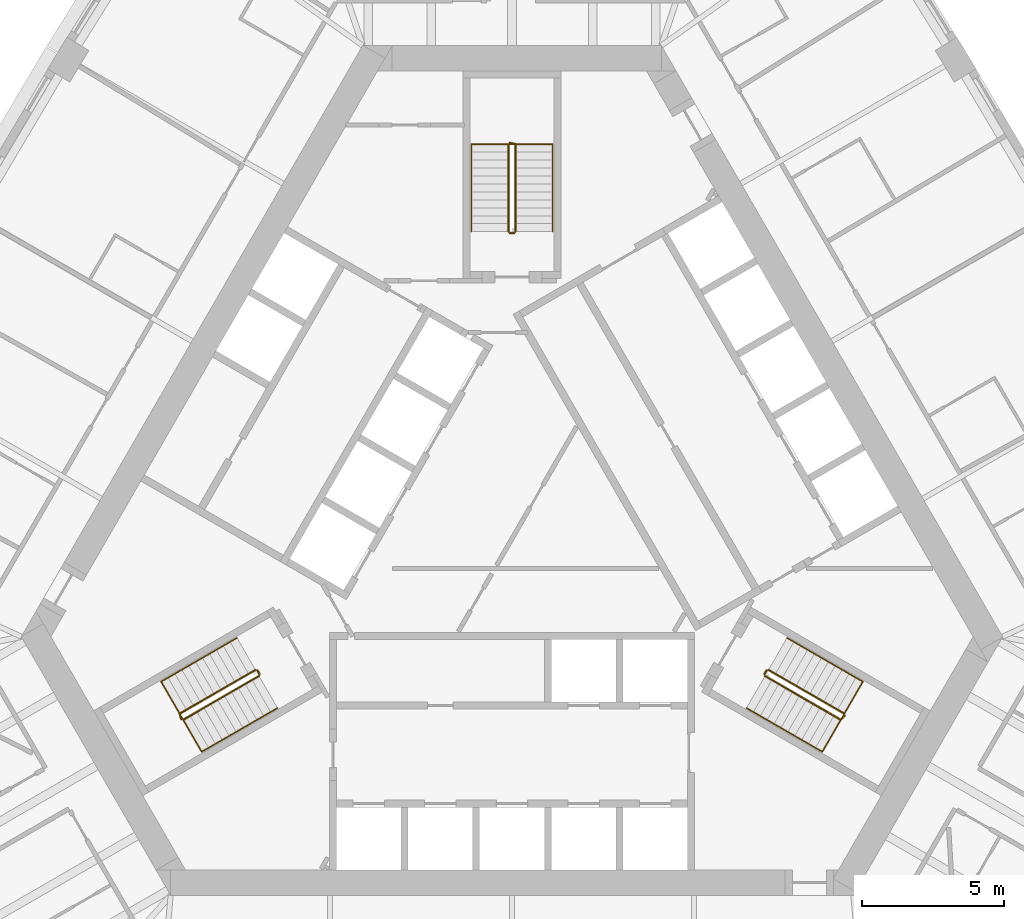
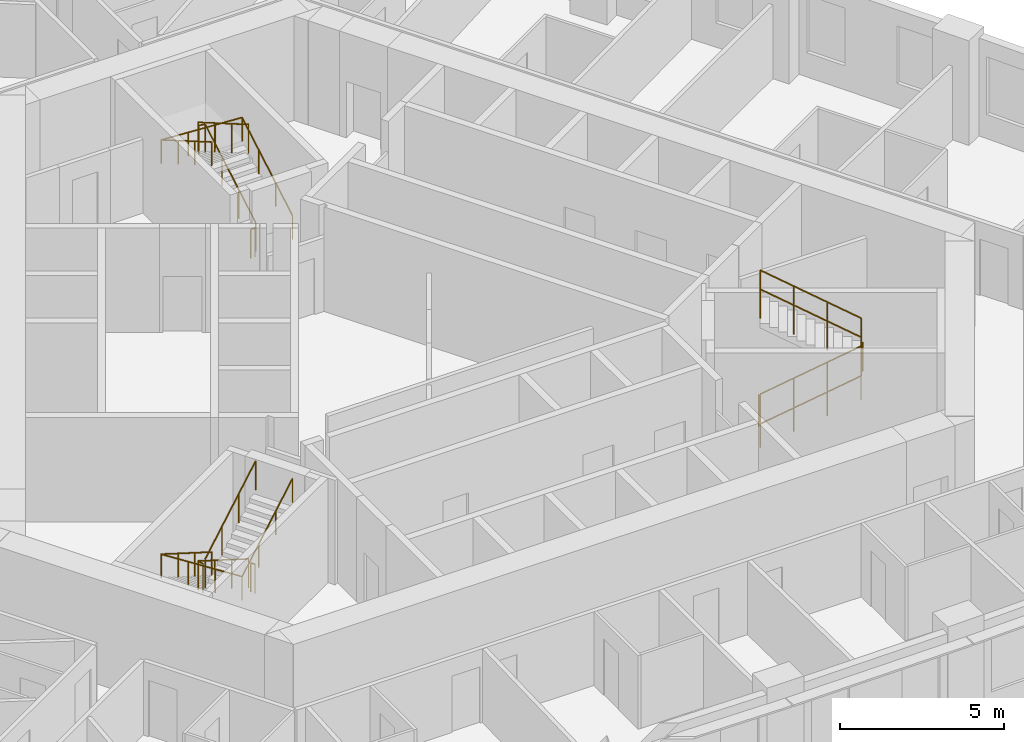
# One storey, part 13 of 13: 12 railings.
"""IFC4 building model written with IfcOpenShell, lengths in metres."""

from ifc_helpers import new_model, si_unit, direction, frame, origin, origin_2d, place, context, subcontext, project, spatial, circle, extrude, material, type_object, element, save


model = new_model("IFC4")

# Units and contexts
model_context = context("Model", 3, precision=1e-05, world=origin(), true_north=direction((0.0, 1.0)))
body_context = subcontext(model_context, "Body", "Model", "MODEL_VIEW")
ifc_project = project(units=[si_unit("LENGTHUNIT", "METRE"), si_unit("AREAUNIT", "SQUARE_METRE"), si_unit("VOLUMEUNIT", "CUBIC_METRE"), si_unit("PLANEANGLEUNIT", "RADIAN"), si_unit("MASSUNIT", "GRAM", prefix="KILO")], contexts=[model_context])

# Site, building, storey
site_placement = place(None, origin())
site = spatial("IfcSite", under=ifc_project, at=site_placement, CompositionType="ELEMENT")
building_placement = place(site_placement, origin())
building = spatial("IfcBuilding", under=site, at=building_placement, Name="Mestral Congress Tower", CompositionType="ELEMENT")
storey_placement = place(building_placement, frame((0.0, 0.0, 91.5)))
storey = spatial("IfcBuildingStorey", under=building, at=storey_placement, Name="L21", CompositionType="ELEMENT", Elevation=91.5)

# Railings
ifc_material_1 = material(Name="Steel balustrade", Category="steel")
railing_type_1 = type_object("IfcRailingType", Name="Stair guard 1100", PredefinedType="GUARDRAIL", material=ifc_material_1)
railing_1_placement = place(storey_placement, frame((8.90087890625, -5.283203125, 0.16259765625)))
element("IfcRailing", 1, at=railing_1_placement, inside=storey, type_object=railing_type_1, Name="L21 ST1 stair guard 1", PredefinedType="GUARDRAIL", context=body_context, shape_type="SweptSolid", body=[
    extrude(circle(Radius=0.02392578125, at=origin_2d()), frame((0.0, 0.0, 1.076171875), z_axis=(0.749019742845, -0.432477486304, 0.501928927906), x_axis=(0.500026652407, 0.866010015463, 0.0)), (0.0, 0.0, 1.0), 3.56103515625),
    extrude(circle(Radius=0.02392578125, at=origin_2d()), frame((2.667236328125, -1.5400390625, 2.86328125), z_axis=(0.695164929852, 0.718850276695, 0.0), x_axis=(-0.718850276695, 0.695164929852, 0.0)), (0.0, 0.0, 1.0), 0.2060546875),
    extrude(circle(Radius=0.02099609375, at=origin_2d()), origin(), (0.0, 0.0, 1.0), 1.052001953125),
    extrude(circle(Radius=0.02099609375, at=origin_2d()), frame((0.88916015625, -0.513427734375, 0.595703125)), (0.0, 0.0, 1.0), 1.052001953125),
    extrude(circle(Radius=0.02099609375, at=origin_2d()), frame((1.778076171875, -1.026611328125, 1.191650390625)), (0.0, 0.0, 1.0), 1.052001953125),
    extrude(circle(Radius=0.02099609375, at=origin_2d()), frame((2.667236328125, -1.5400390625, 1.787353515625)), (0.0, 0.0, 1.0), 1.052001953125),
    extrude(circle(Radius=0.02099609375, at=origin_2d()), frame((2.810546875, -1.391845703125, 1.787353515625)), (0.0, 0.0, 1.0), 1.052001953125),
])
railing_2_placement = place(storey_placement, frame((11.693115234375, -6.606689453125, 2.112548828125)))
element("IfcRailing", 2, at=railing_2_placement, inside=storey, type_object=railing_type_1, Name="L21 ST1 stair guard 2", PredefinedType="GUARDRAIL", context=body_context, shape_type="SweptSolid", body=[
    extrude(circle(Radius=0.02392578125, at=origin_2d()), frame((0.0, 0.0, 1.076171875), z_axis=(-0.749019742845, 0.432477486304, 0.501928927906), x_axis=(-0.500026652407, -0.866010015463, 0.0)), (0.0, 0.0, 1.0), 3.56103515625),
    extrude(circle(Radius=0.02099609375, at=origin_2d()), origin(), (0.0, 0.0, 1.0), 1.052001953125),
    extrude(circle(Radius=0.02099609375, at=origin_2d()), frame((-0.88916015625, 0.513427734375, 0.595703125)), (0.0, 0.0, 1.0), 1.052001953125),
    extrude(circle(Radius=0.02099609375, at=origin_2d()), frame((-1.778076171875, 1.026611328125, 1.191650390625)), (0.0, 0.0, 1.0), 1.052001953125),
    extrude(circle(Radius=0.02099609375, at=origin_2d()), frame((-2.667236328125, 1.5400390625, 1.787353515625)), (0.0, 0.0, 1.0), 1.052001953125),
])
railing_3_placement = place(storey_placement, frame((8.882568359375, -5.21484375, 0.0)))
element("IfcRailing", 3, at=railing_3_placement, inside=storey, type_object=railing_type_1, Name="L21 ST1 stair guard 3", PredefinedType="GUARDRAIL", context=body_context, shape_type="SweptSolid", body=[
    extrude(circle(Radius=0.02392578125, at=origin_2d()), frame((0.0, 0.0, 1.076171875), z_axis=(0.499816412211, 0.866131372301, 0.0), x_axis=(-0.866131372301, 0.499816412211, 0.0)), (0.0, 0.0, 1.0), 0.14990234375),
    extrude(circle(Radius=0.02099609375, at=origin_2d()), origin(), (0.0, 0.0, 1.0), 1.052001953125),
    extrude(circle(Radius=0.02099609375, at=origin_2d()), frame((0.074951171875, 0.1298828125, 0.0)), (0.0, 0.0, 1.0), 1.052001953125),
])
railing_4_placement = place(storey_placement, frame((0.125, 10.35009765625, 0.16259765625)))
element("IfcRailing", 4, at=railing_4_placement, inside=storey, type_object=railing_type_1, Name="L21 ST2 stair guard 1", PredefinedType="GUARDRAIL", context=body_context, shape_type="SweptSolid", body=[
    extrude(circle(Radius=0.02392578125, at=origin_2d()), frame((0.0, 0.0, 1.076171875), z_axis=(0.0, 0.864903211148, 0.501938676878), x_axis=(-1.0, 0.0, 0.0)), (0.0, 0.0, 1.0), 3.560791015625),
    extrude(circle(Radius=0.02392578125, at=origin_2d()), frame((0.0, 3.079833984375, 2.86328125), z_axis=(-0.970072785993, 0.242814311512, 0.0), x_axis=(-0.242814311512, -0.970072785993, 0.0)), (0.0, 0.0, 1.0), 0.2060546875),
    extrude(circle(Radius=0.02099609375, at=origin_2d()), origin(), (0.0, 0.0, 1.0), 1.052001953125),
    extrude(circle(Radius=0.02099609375, at=origin_2d()), frame((0.0, 1.026611328125, 0.595703125)), (0.0, 0.0, 1.0), 1.052001953125),
    extrude(circle(Radius=0.02099609375, at=origin_2d()), frame((0.0, 2.05322265625, 1.191650390625)), (0.0, 0.0, 1.0), 1.052001953125),
    extrude(circle(Radius=0.02099609375, at=origin_2d()), frame((0.0, 3.079833984375, 1.787353515625)), (0.0, 0.0, 1.0), 1.052001953125),
    extrude(circle(Radius=0.02099609375, at=origin_2d()), frame((-0.199951171875, 3.1298828125, 1.787353515625)), (0.0, 0.0, 1.0), 1.052001953125),
])
railing_5_placement = place(storey_placement, frame((-0.125, 13.429931640625, 2.112548828125)))
element("IfcRailing", 5, at=railing_5_placement, inside=storey, type_object=railing_type_1, Name="L21 ST2 stair guard 2", PredefinedType="GUARDRAIL", context=body_context, shape_type="SweptSolid", body=[
    extrude(circle(Radius=0.02392578125, at=origin_2d()), frame((0.0, 0.0, 1.076171875), z_axis=(0.0, -0.864903211148, 0.501938676878), x_axis=(1.0, 0.0, 0.0)), (0.0, 0.0, 1.0), 3.560791015625),
    extrude(circle(Radius=0.02099609375, at=origin_2d()), origin(), (0.0, 0.0, 1.0), 1.052001953125),
    extrude(circle(Radius=0.02099609375, at=origin_2d()), frame((0.0, -1.026611328125, 0.595703125)), (0.0, 0.0, 1.0), 1.052001953125),
    extrude(circle(Radius=0.02099609375, at=origin_2d()), frame((0.0, -2.05322265625, 1.191650390625)), (0.0, 0.0, 1.0), 1.052001953125),
    extrude(circle(Radius=0.02099609375, at=origin_2d()), frame((0.0, -3.079833984375, 1.787353515625)), (0.0, 0.0, 1.0), 1.052001953125),
])
railing_6_placement = place(storey_placement, frame((0.074951171875, 10.300048828125, 0.0)))
element("IfcRailing", 6, at=railing_6_placement, inside=storey, type_object=railing_type_1, Name="L21 ST2 stair guard 3", PredefinedType="GUARDRAIL", context=body_context, shape_type="SweptSolid", body=[
    extrude(circle(Radius=0.02392578125, at=origin_2d()), frame((0.0, 0.0, 1.076171875), z_axis=(-1.0, 0.0, 0.0), x_axis=(0.0, -1.0, 0.0)), (0.0, 0.0, 1.0), 0.14990234375),
    extrude(circle(Radius=0.02099609375, at=origin_2d()), origin(), (0.0, 0.0, 1.0), 1.052001953125),
    extrude(circle(Radius=0.02099609375, at=origin_2d()), frame((-0.14990234375, 0.0, 0.0)), (0.0, 0.0, 1.0), 1.052001953125),
])
railing_7_placement = place(storey_placement, frame((-9.02587890625, -5.066650390625, 0.16259765625)))
element("IfcRailing", 7, at=railing_7_placement, inside=storey, type_object=railing_type_1, Name="L21 ST3 stair guard 1", PredefinedType="GUARDRAIL", context=body_context, shape_type="SweptSolid", body=[
    extrude(circle(Radius=0.02392578125, at=origin_2d()), frame((0.0, 0.0, 1.076171875), z_axis=(-0.749019742845, -0.432477486304, 0.501928927906), x_axis=(0.500026652407, -0.866010015463, 0.0)), (0.0, 0.0, 1.0), 3.56103515625),
    extrude(circle(Radius=0.02392578125, at=origin_2d()), frame((-2.667236328125, -1.5400390625, 2.86328125), z_axis=(0.274721127897, -0.961523947641, 0.0), x_axis=(0.961523947641, 0.274721127897, 0.0)), (0.0, 0.0, 1.0), 0.2060546875),
    extrude(circle(Radius=0.02099609375, at=origin_2d()), origin(), (0.0, 0.0, 1.0), 1.052001953125),
    extrude(circle(Radius=0.02099609375, at=origin_2d()), frame((-0.88916015625, -0.513427734375, 0.595703125)), (0.0, 0.0, 1.0), 1.052001953125),
    extrude(circle(Radius=0.02099609375, at=origin_2d()), frame((-1.778076171875, -1.026611328125, 1.191650390625)), (0.0, 0.0, 1.0), 1.052001953125),
    extrude(circle(Radius=0.02099609375, at=origin_2d()), frame((-2.667236328125, -1.5400390625, 1.787353515625)), (0.0, 0.0, 1.0), 1.052001953125),
    extrude(circle(Radius=0.02099609375, at=origin_2d()), frame((-2.610595703125, -1.73828125, 1.787353515625)), (0.0, 0.0, 1.0), 1.052001953125),
])
railing_8_placement = place(storey_placement, frame((-11.568115234375, -6.8232421875, 2.112548828125)))
element("IfcRailing", 8, at=railing_8_placement, inside=storey, type_object=railing_type_1, Name="L21 ST3 stair guard 2", PredefinedType="GUARDRAIL", context=body_context, shape_type="SweptSolid", body=[
    extrude(circle(Radius=0.02392578125, at=origin_2d()), frame((0.0, 0.0, 1.076171875), z_axis=(0.749019742845, 0.432477486304, 0.501928927906), x_axis=(-0.500026652407, 0.866010015463, 0.0)), (0.0, 0.0, 1.0), 3.56103515625),
    extrude(circle(Radius=0.02099609375, at=origin_2d()), origin(), (0.0, 0.0, 1.0), 1.052001953125),
    extrude(circle(Radius=0.02099609375, at=origin_2d()), frame((0.88916015625, 0.513427734375, 0.595703125)), (0.0, 0.0, 1.0), 1.052001953125),
    extrude(circle(Radius=0.02099609375, at=origin_2d()), frame((1.778076171875, 1.026611328125, 1.191650390625)), (0.0, 0.0, 1.0), 1.052001953125),
    extrude(circle(Radius=0.02099609375, at=origin_2d()), frame((2.667236328125, 1.5400390625, 1.787353515625)), (0.0, 0.0, 1.0), 1.052001953125),
])
railing_9_placement = place(storey_placement, frame((-8.95751953125, -5.0849609375, 0.0)))
element("IfcRailing", 9, at=railing_9_placement, inside=storey, type_object=railing_type_1, Name="L21 ST3 stair guard 3", PredefinedType="GUARDRAIL", context=body_context, shape_type="SweptSolid", body=[
    extrude(circle(Radius=0.02392578125, at=origin_2d()), frame((0.0, 0.0, 1.076171875), z_axis=(0.499816412211, -0.866131372301, 0.0), x_axis=(0.866131372301, 0.499816412211, 0.0)), (0.0, 0.0, 1.0), 0.14990234375),
    extrude(circle(Radius=0.02099609375, at=origin_2d()), origin(), (0.0, 0.0, 1.0), 1.052001953125),
    extrude(circle(Radius=0.02099609375, at=origin_2d()), frame((0.074951171875, -0.1298828125, 0.0)), (0.0, 0.0, 1.0), 1.052001953125),
])
ifc_material_2 = material(Name="Steel handrail", Category="steel")
railing_type_2 = type_object("IfcRailingType", Name="Stair handrail 900", PredefinedType="HANDRAIL", material=ifc_material_2)
railing_10_placement = place(storey_placement, frame((8.2509765625, -6.4091796875, 0.16259765625)))
element("IfcRailing", 10, at=railing_10_placement, inside=storey, type_object=railing_type_2, Name="L21 ST1 stair handrail 1", PredefinedType="HANDRAIL", context=body_context, shape_type="SweptSolid", body=[
    extrude(circle(Radius=0.02392578125, at=origin_2d()), frame((0.0, 0.0, 0.8759765625), z_axis=(0.749041951051, -0.432421746936, 0.501943809945), x_axis=(0.499967199496, 0.866044340336, 0.0)), (0.0, 0.0, 1.0), 3.560791015625),
    extrude(circle(Radius=0.02392578125, at=origin_2d()), frame((2.667236328125, -1.539794921875, 2.6630859375), z_axis=(0.499224505807, 0.864598343191, 0.056961370716), x_axis=(-0.866004402611, 0.500036373335, 0.0)), (0.0, 0.0, 1.0), 2.8544921875),
    extrude(circle(Radius=0.02392578125, at=origin_2d()), frame((4.09228515625, 0.92822265625, 2.82568359375), z_axis=(-0.749049836341, 0.432455278019, 0.501903153199), x_axis=(-0.499992328818, -0.866029832698, 0.0)), (0.0, 0.0, 1.0), 3.56103515625),
    extrude(circle(Radius=0.02099609375, at=origin_2d()), origin(), (0.0, 0.0, 1.0), 0.851806640625),
    extrude(circle(Radius=0.02099609375, at=origin_2d()), frame((0.88916015625, -0.51318359375, 0.595703125)), (0.0, 0.0, 1.0), 0.851806640625),
    extrude(circle(Radius=0.02099609375, at=origin_2d()), frame((1.778076171875, -1.026611328125, 1.191650390625)), (0.0, 0.0, 1.0), 0.851806640625),
    extrude(circle(Radius=0.02099609375, at=origin_2d()), frame((2.667236328125, -1.539794921875, 1.787353515625)), (0.0, 0.0, 1.0), 0.851806640625),
    extrude(circle(Radius=0.02099609375, at=origin_2d()), frame((3.142333984375, -0.717041015625, 1.841552734375)), (0.0, 0.0, 1.0), 0.851806640625),
    extrude(circle(Radius=0.02099609375, at=origin_2d()), frame((3.6171875, 0.10546875, 1.895751953125)), (0.0, 0.0, 1.0), 0.851806640625),
    extrude(circle(Radius=0.02099609375, at=origin_2d()), frame((4.09228515625, 0.92822265625, 1.949951171875)), (0.0, 0.0, 1.0), 0.851806640625),
    extrude(circle(Radius=0.02099609375, at=origin_2d()), frame((3.203125, 1.441650390625, 2.545654296875)), (0.0, 0.0, 1.0), 0.851806640625),
    extrude(circle(Radius=0.02099609375, at=origin_2d()), frame((2.31396484375, 1.954833984375, 3.1416015625)), (0.0, 0.0, 1.0), 0.851806640625),
    extrude(circle(Radius=0.02099609375, at=origin_2d()), frame((1.4248046875, 2.46826171875, 3.7373046875)), (0.0, 0.0, 1.0), 0.851806640625),
])
railing_11_placement = place(storey_placement, frame((1.425048828125, 10.35009765625, 0.16259765625)))
element("IfcRailing", 11, at=railing_11_placement, inside=storey, type_object=railing_type_2, Name="L21 ST2 stair handrail 1", PredefinedType="HANDRAIL", context=body_context, shape_type="SweptSolid", body=[
    extrude(circle(Radius=0.02392578125, at=origin_2d()), frame((0.0, 0.0, 0.8759765625), z_axis=(0.0, 0.864903211148, 0.501938676878), x_axis=(-1.0, 0.0, 0.0)), (0.0, 0.0, 1.0), 3.560791015625),
    extrude(circle(Radius=0.02392578125, at=origin_2d()), frame((0.0, 3.079833984375, 2.6630859375), z_axis=(-0.998376618682, 0.0, 0.056957240709), x_axis=(0.0, -1.0, 0.0)), (0.0, 0.0, 1.0), 2.854736328125),
    extrude(circle(Radius=0.02392578125, at=origin_2d()), frame((-2.85009765625, 3.079833984375, 2.82568359375), z_axis=(0.0, -0.864903211148, 0.501938676878), x_axis=(1.0, 0.0, 0.0)), (0.0, 0.0, 1.0), 3.560791015625),
    extrude(circle(Radius=0.02099609375, at=origin_2d()), origin(), (0.0, 0.0, 1.0), 0.851806640625),
    extrude(circle(Radius=0.02099609375, at=origin_2d()), frame((0.0, 1.026611328125, 0.595703125)), (0.0, 0.0, 1.0), 0.851806640625),
    extrude(circle(Radius=0.02099609375, at=origin_2d()), frame((0.0, 2.05322265625, 1.191650390625)), (0.0, 0.0, 1.0), 0.851806640625),
    extrude(circle(Radius=0.02099609375, at=origin_2d()), frame((0.0, 3.079833984375, 1.787353515625)), (0.0, 0.0, 1.0), 0.851806640625),
    extrude(circle(Radius=0.02099609375, at=origin_2d()), frame((-0.949951171875, 3.079833984375, 1.841552734375)), (0.0, 0.0, 1.0), 0.851806640625),
    extrude(circle(Radius=0.02099609375, at=origin_2d()), frame((-1.900146484375, 3.079833984375, 1.895751953125)), (0.0, 0.0, 1.0), 0.851806640625),
    extrude(circle(Radius=0.02099609375, at=origin_2d()), frame((-2.85009765625, 3.079833984375, 1.949951171875)), (0.0, 0.0, 1.0), 0.851806640625),
    extrude(circle(Radius=0.02099609375, at=origin_2d()), frame((-2.85009765625, 2.05322265625, 2.545654296875)), (0.0, 0.0, 1.0), 0.851806640625),
    extrude(circle(Radius=0.02099609375, at=origin_2d()), frame((-2.85009765625, 1.026611328125, 3.1416015625)), (0.0, 0.0, 1.0), 0.851806640625),
    extrude(circle(Radius=0.02099609375, at=origin_2d()), frame((-2.85009765625, 0.0, 3.7373046875)), (0.0, 0.0, 1.0), 0.851806640625),
])
railing_12_placement = place(storey_placement, frame((-9.67578125, -3.94091796875, 0.16259765625)))
element("IfcRailing", 12, at=railing_12_placement, inside=storey, type_object=railing_type_2, Name="L21 ST3 stair handrail 1", PredefinedType="HANDRAIL", context=body_context, shape_type="SweptSolid", body=[
    extrude(circle(Radius=0.02392578125, at=origin_2d()), frame((0.0, 0.0, 0.8759765625), z_axis=(-0.749049836341, -0.432455278019, 0.501903153199), x_axis=(0.499992328818, -0.866029832698, 0.0)), (0.0, 0.0, 1.0), 3.56103515625),
    extrude(circle(Radius=0.02392578125, at=origin_2d()), frame((-2.66748046875, -1.5400390625, 2.6630859375), z_axis=(0.499224505807, -0.864598343191, 0.056961370716), x_axis=(0.866004402611, 0.500036373335, 0.0)), (0.0, 0.0, 1.0), 2.8544921875),
    extrude(circle(Radius=0.02392578125, at=origin_2d()), frame((-1.242431640625, -4.008056640625, 2.82568359375), z_axis=(0.749041951051, 0.432421746936, 0.501943809945), x_axis=(-0.499967199496, 0.866044340336, 0.0)), (0.0, 0.0, 1.0), 3.560791015625),
    extrude(circle(Radius=0.02099609375, at=origin_2d()), origin(), (0.0, 0.0, 1.0), 0.851806640625),
    extrude(circle(Radius=0.02099609375, at=origin_2d()), frame((-0.88916015625, -0.513427734375, 0.595703125)), (0.0, 0.0, 1.0), 0.851806640625),
    extrude(circle(Radius=0.02099609375, at=origin_2d()), frame((-1.7783203125, -1.026611328125, 1.191650390625)), (0.0, 0.0, 1.0), 0.851806640625),
    extrude(circle(Radius=0.02099609375, at=origin_2d()), frame((-2.66748046875, -1.5400390625, 1.787353515625)), (0.0, 0.0, 1.0), 0.851806640625),
    extrude(circle(Radius=0.02099609375, at=origin_2d()), frame((-2.1923828125, -2.36279296875, 1.841552734375)), (0.0, 0.0, 1.0), 0.851806640625),
    extrude(circle(Radius=0.02099609375, at=origin_2d()), frame((-1.717529296875, -3.185302734375, 1.895751953125)), (0.0, 0.0, 1.0), 0.851806640625),
    extrude(circle(Radius=0.02099609375, at=origin_2d()), frame((-1.242431640625, -4.008056640625, 1.949951171875)), (0.0, 0.0, 1.0), 0.851806640625),
    extrude(circle(Radius=0.02099609375, at=origin_2d()), frame((-0.353271484375, -3.494873046875, 2.545654296875)), (0.0, 0.0, 1.0), 0.851806640625),
    extrude(circle(Radius=0.02099609375, at=origin_2d()), frame((0.53564453125, -2.9814453125, 3.1416015625)), (0.0, 0.0, 1.0), 0.851806640625),
    extrude(circle(Radius=0.02099609375, at=origin_2d()), frame((1.4248046875, -2.46826171875, 3.7373046875)), (0.0, 0.0, 1.0), 0.851806640625),
])

save(model, "model.ifc")
